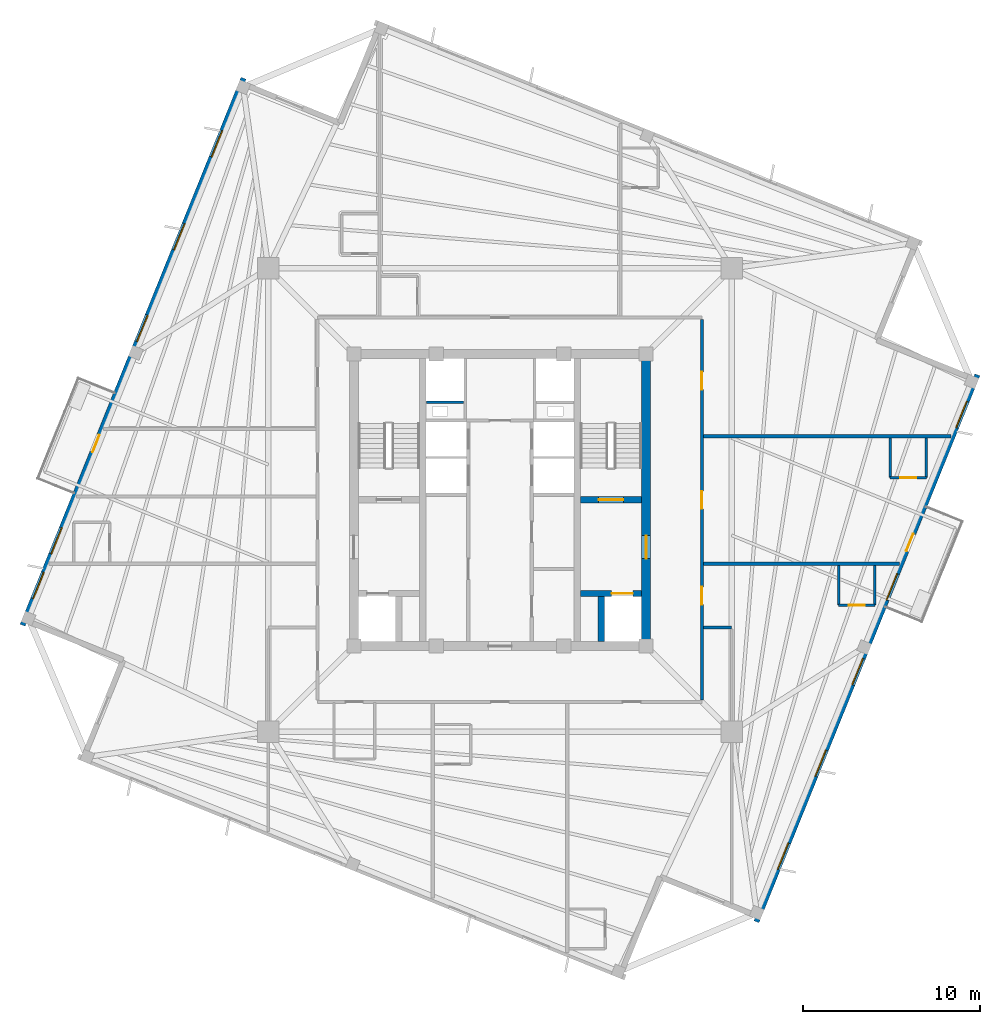
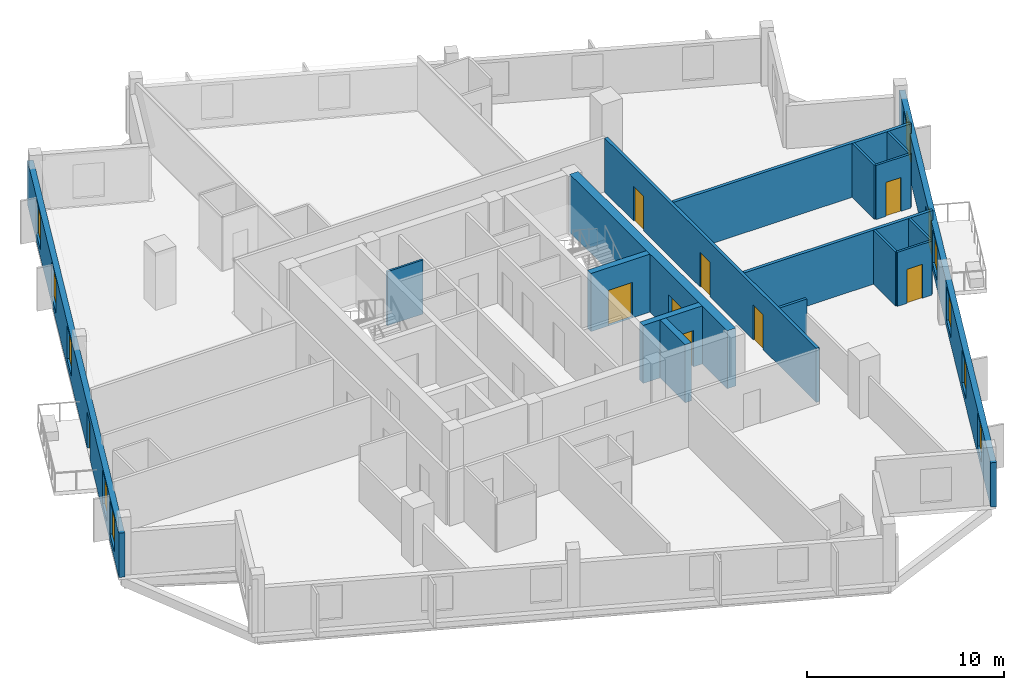
# One storey, part 4 of 8: 17 walls, 10 doors, 10 windows, 20 openings.
"""IFC4 building model written with IfcOpenShell, lengths in metres."""

from ifc_helpers import new_model, si_unit, direction, frame, frame_2d, origin, place, context, subcontext, project, spatial, rectangle, extrude, source, transform, mapped, material, layer, layer_set, type_object, element, fill, save


model = new_model("IFC4")

# Units and contexts
model_context = context("Model", 3, precision=1e-05, world=origin(), true_north=direction((0.0, 1.0)))
body_context = subcontext(model_context, "Body", "Model", "MODEL_VIEW")
ifc_project = project(units=[si_unit("LENGTHUNIT", "METRE"), si_unit("AREAUNIT", "SQUARE_METRE"), si_unit("VOLUMEUNIT", "CUBIC_METRE"), si_unit("PLANEANGLEUNIT", "RADIAN"), si_unit("MASSUNIT", "GRAM", prefix="KILO"), si_unit("THERMODYNAMICTEMPERATUREUNIT", "KELVIN")], contexts=[model_context])

# Site, building, storey
site_placement = place(None, origin())
site = spatial("IfcSite", under=ifc_project, at=site_placement, CompositionType="ELEMENT")
building_placement = place(site_placement, origin())
building = spatial("IfcBuilding", under=site, at=building_placement, Name="Kosmvard Interchange Tower", CompositionType="ELEMENT")
storey_placement = place(building_placement, frame((0.0, 0.0, 268.800048828125)))
storey = spatial("IfcBuildingStorey", under=building, at=storey_placement, Name="L65", CompositionType="ELEMENT", Elevation=268.800048828125)

# Wall
ifc_material_1 = material(Name="Acoustic gypsum partition system")
ifc_layer_1 = layer(ifc_material_1, 0.14990234375, Name="Acoustic gypsum partition system")
ifc_layer_set_1 = layer_set([ifc_layer_1], Name="Acoustic gypsum partition system")
wall_type_1 = type_object("IfcWallType", Name="Acoustic Suite & Meeting Partition 150", PredefinedType="PARTITIONING", material=ifc_layer_set_1)
wall_1_placement = place(storey_placement, frame((11.4951171875, -7.199951171875, 0.0), z_axis=(0.0, 0.0, 1.0), x_axis=(1.0, 0.0, 0.0)))
element("IfcWall", 1, at=wall_1_placement, inside=storey, type_object=wall_type_1, Name="L65 Room Partition 10.1", PredefinedType="PARTITIONING", context=body_context, shape_type="SweptSolid", body=[
    extrude(rectangle(XDim=1.5859375, YDim=0.14990234375, at=frame_2d((0.79296875, 0.0))), origin(), (0.0, 0.0, 1.0), 3.349853515625),
])

# Wall, openings, doors
ifc_material_2 = material(Name="Fire-rated gypsum partition system")
ifc_layer_2 = layer(ifc_material_2, 0.179931640625, Name="Fire-rated gypsum partition system")
ifc_layer_set_2 = layer_set([ifc_layer_2], Name="Fire-rated gypsum partition system")
wall_type_2 = type_object("IfcWallType", Name="Corridor & Hotel Compartment Partition 180", PredefinedType="PARTITIONING", material=ifc_layer_set_2)
wall_2_placement = place(storey_placement, frame((11.39990234375, -11.300048828125, 0.0), z_axis=(0.0, 0.0, 1.0), x_axis=(0.0, 1.0, 0.0)))
wall_2 = element("IfcWall", 2, at=wall_2_placement, inside=storey, type_object=wall_type_2, Name="L65 Corridor Wall CE", PredefinedType="PARTITIONING", context=body_context, shape_type="SweptSolid", body=[
    extrude(rectangle(XDim=21.5, YDim=0.179931640625, at=frame_2d((10.75, 0.0))), origin(), (0.0, 0.0, 1.0), 3.349853515625),
])
opening_1_placement = place(wall_2_placement, frame((17.53564453125, 0.0, 0.0)))
opening_1 = element("IfcOpeningElement", 3, at=opening_1_placement, cuts=wall_2, Name="Opening L65-D07", PredefinedType="OPENING", context=body_context, shape_type="SweptSolid", body=[
    extrude(rectangle(XDim=1.0, YDim=2.14990234375, at=frame_2d((0.5, 1.074951171875))), frame((0.0, 0.10009765625, 0.0), z_axis=(0.0, -1.0, 0.0), x_axis=(1.0, 0.0, 0.0)), (0.0, 0.0, 1.0), 0.199951171875),
])
opening_2_placement = place(wall_2_placement, frame((10.800048828125, 0.0, 0.0)))
opening_2 = element("IfcOpeningElement", 4, at=opening_2_placement, cuts=wall_2, Name="Opening L65-D09", PredefinedType="OPENING", context=body_context, shape_type="SweptSolid", body=[
    extrude(rectangle(XDim=1.0, YDim=2.14990234375, at=frame_2d((0.5, 1.074951171875))), frame((0.0, 0.10009765625, 0.0), z_axis=(0.0, -1.0, 0.0), x_axis=(1.0, 0.0, 0.0)), (0.0, 0.0, 1.0), 0.199951171875),
])
opening_3_placement = place(wall_2_placement, frame((5.39990234375, 0.0, 0.0)))
opening_3 = element("IfcOpeningElement", 5, at=opening_3_placement, cuts=wall_2, Name="Opening L65-D11", PredefinedType="OPENING", context=body_context, shape_type="SweptSolid", body=[
    extrude(rectangle(XDim=1.0, YDim=2.14990234375, at=frame_2d((0.5, 1.074951171875))), frame((0.0, 0.10009765625, 0.0), z_axis=(0.0, -1.0, 0.0), x_axis=(1.0, 0.0, 0.0)), (0.0, 0.0, 1.0), 0.199951171875),
])
ifc_material_3 = material(Name="Engineered oak fire-rated timber", Category="wood")
door_type_1 = type_object("IfcDoorType", Name="Hotel Guestroom Entrance Door 1000x2150 EI60", OperationType="NOTDEFINED", PredefinedType="DOOR", material=ifc_material_3)
shared_shape_1 = source(origin(), body_context, "Body", "SweptSolid", [
    extrude(rectangle(XDim=1.0, YDim=2.14990234375, at=frame_2d((0.5, 1.074951171875))), frame((0.0, 0.02490234375, 0.0), z_axis=(0.0, -1.0, 0.0), x_axis=(1.0, 0.0, 0.0)), (0.0, 0.0, 1.0), 0.050048828125),
])
door_1_placement = place(opening_1_placement, frame((1.0, 0.0, 0.0), z_axis=(0.0, 0.0, 1.0), x_axis=(-1.0, 0.0, 0.0)))
door_1 = element("IfcDoor", 6, at=door_1_placement, inside=storey, type_object=door_type_1, Name="L65 Hotel Queen Junior Suite 2 Door", OperationType="SINGLE_SWING_LEFT", OverallHeight=2.14990234375, OverallWidth=1.0, PredefinedType="DOOR", context=body_context, shape_type="MappedRepresentation", body=[
    mapped(shared_shape_1, transform((0.0, 0.0, 0.0), scale=1.0)),
])
fill(opening_1, door_1)
door_2_placement = place(opening_2_placement, frame((1.0, 0.0, 0.0), z_axis=(0.0, 0.0, 1.0), x_axis=(-1.0, 0.0, 0.0)))
door_2 = element("IfcDoor", 7, at=door_2_placement, inside=storey, type_object=door_type_1, Name="L65 Hotel South-East Corner Suite 2 Door", OperationType="SINGLE_SWING_LEFT", OverallHeight=2.14990234375, OverallWidth=1.0, PredefinedType="DOOR", context=body_context, shape_type="MappedRepresentation", body=[
    mapped(shared_shape_1, transform((0.0, 0.0, 0.0), scale=1.0)),
])
fill(opening_2, door_2)
door_3_placement = place(opening_3_placement, frame((1.0, 0.0, 0.0), z_axis=(0.0, 0.0, 1.0), x_axis=(-1.0, 0.0, 0.0)))
door_3 = element("IfcDoor", 8, at=door_3_placement, inside=storey, type_object=door_type_1, Name="L65 Hotel Superior Junior Suite 3 Door", OperationType="SINGLE_SWING_LEFT", OverallHeight=2.14990234375, OverallWidth=1.0, PredefinedType="DOOR", context=body_context, shape_type="MappedRepresentation", body=[
    mapped(shared_shape_1, transform((0.0, 0.0, 0.0), scale=1.0)),
])
fill(opening_3, door_3)

# Walls
wall_3_placement = place(storey_placement, frame((11.4951171875, 3.60009765625, 0.0), z_axis=(0.0, 0.0, 1.0), x_axis=(1.0, 0.0, 0.0)))
element("IfcWall", 9, at=wall_3_placement, inside=storey, type_object=wall_type_2, Name="L65 Room Partition 03.1", PredefinedType="PARTITIONING", context=body_context, shape_type="SweptSolid", body=[
    extrude(rectangle(XDim=13.962158203125, YDim=0.179931640625, at=frame_2d((6.98095703125, 0.0))), origin(), (0.0, 0.0, 1.0), 3.349853515625),
])
wall_4_placement = place(storey_placement, frame((11.4951171875, -3.60009765625, 0.0), z_axis=(0.0, 0.0, 1.0), x_axis=(1.0, 0.0, 0.0)))
element("IfcWall", 10, at=wall_4_placement, inside=storey, type_object=wall_type_2, Name="L65 Room Partition 04.1", PredefinedType="PARTITIONING", context=body_context, shape_type="SweptSolid", body=[
    extrude(rectangle(XDim=11.05322265625, YDim=0.179931640625, at=frame_2d((5.526611328125, 0.0))), origin(), (0.0, 0.0, 1.0), 3.349853515625),
])
ifc_material_4 = material(Name="Fire-rated gypsum shaftwall system")
ifc_layer_3 = layer(ifc_material_4, 0.1201171875, Name="Fire-rated gypsum shaftwall system")
ifc_layer_set_3 = layer_set([ifc_layer_3], Name="Fire-rated gypsum shaftwall system")
wall_type_3 = type_object("IfcWallType", Name="Shaft & Riser Fire Partition 120 EI60", PredefinedType="PARTITIONING", material=ifc_layer_set_3)
wall_5_placement = place(storey_placement, frame((-4.159912109375, 5.52001953125, 0.0), z_axis=(0.0, 0.0, 1.0), x_axis=(1.0, 0.0, 0.0)))
element("IfcWall", 11, at=wall_5_placement, inside=storey, type_object=wall_type_3, Name="L65 Riser Shaft Divider W", PredefinedType="PARTITIONING", context=body_context, shape_type="SweptSolid", body=[
    extrude(rectangle(XDim=2.099853515625, YDim=0.1201171875, at=frame_2d((1.0498046875, 0.0))), origin(), (0.0, 0.0, 1.0), 3.349853515625),
])

# Wall, opening, door
ifc_material_5 = material(Name="Concrete C60/75", Category="concrete")
ifc_layer_4 = layer(ifc_material_5, 0.360107421875, Name="Concrete C60/75")
ifc_layer_set_4 = layer_set([ifc_layer_4], Name="Concrete C60/75")
wall_type_4 = type_object("IfcWallType", Name="Stair & Lift Shaft Shear Wall 360 C60/75", PredefinedType="SHEAR", material=ifc_layer_set_4)
wall_6_placement = place(storey_placement, frame((4.5400390625, 0.02001953125, 0.0), z_axis=(0.0, 0.0, 1.0), x_axis=(1.0, 0.0, 0.0)))
wall_6 = element("IfcWall", 12, at=wall_6_placement, inside=storey, type_object=wall_type_4, Name="L65 Shaft Shear Wall SW-ST2", PredefinedType="SHEAR", context=body_context, shape_type="SweptSolid", body=[
    extrude(rectangle(XDim=3.4599609375, YDim=0.360107421875, at=frame_2d((1.72998046875, 0.0))), origin(), (0.0, 0.0, 1.0), 3.599853515625),
])
opening_4_placement = place(wall_6_placement, frame((1.030029296875, 0.0, 0.0)))
opening_4 = element("IfcOpeningElement", 13, at=opening_4_placement, cuts=wall_6, Name="Opening L65-SD2", PredefinedType="OPENING", context=body_context, shape_type="SweptSolid", body=[
    extrude(rectangle(XDim=1.39990234375, YDim=2.199951171875, at=frame_2d((0.699951171875, 1.10009765625))), frame((0.0, 0.18994140625, 0.0), z_axis=(0.0, -1.0, 0.0), x_axis=(1.0, 0.0, 0.0)), (0.0, 0.0, 1.0), 0.380126953125),
])
ifc_material_6 = material(Name="Painted fire-rated steel leaf", Category="steel")
door_type_2 = type_object("IfcDoorType", Name="Protected Stair Door 1400x2200 FD60S", OperationType="NOTDEFINED", PredefinedType="DOOR", material=ifc_material_6)
shared_shape_2 = source(origin(), body_context, "Body", "SweptSolid", [
    extrude(rectangle(XDim=1.39990234375, YDim=2.199951171875, at=frame_2d((0.699951171875, 1.10009765625))), frame((0.0, 0.02490234375, 0.0), z_axis=(0.0, -1.0, 0.0), x_axis=(1.0, 0.0, 0.0)), (0.0, 0.0, 1.0), 0.050048828125),
])
door_4_placement = place(opening_4_placement, origin())
door_4 = element("IfcDoor", 14, at=door_4_placement, inside=storey, type_object=door_type_2, Name="L65 Stair ST-2 Enclosure Door", OperationType="SINGLE_SWING_RIGHT", OverallHeight=2.199951171875, OverallWidth=1.39990234375, PredefinedType="DOOR", context=body_context, shape_type="MappedRepresentation", body=[
    mapped(shared_shape_2, transform((0.0, 0.0, 0.0), scale=1.0)),
])
fill(opening_4, door_4)

wall_7_placement = place(storey_placement, frame((4.5400390625, -5.280029296875, 0.0), z_axis=(0.0, 0.0, 1.0), x_axis=(1.0, 0.0, 0.0)))
wall_7 = element("IfcWall", 15, at=wall_7_placement, inside=storey, type_object=wall_type_4, Name="L65 Shaft Shear Wall SW-FF2", PredefinedType="SHEAR", context=body_context, shape_type="SweptSolid", body=[
    extrude(rectangle(XDim=3.4599609375, YDim=0.360107421875, at=frame_2d((1.72998046875, 0.0))), origin(), (0.0, 0.0, 1.0), 3.599853515625),
])
opening_5_placement = place(wall_7_placement, frame((1.760009765625, 0.0, 0.0)))
opening_5 = element("IfcOpeningElement", 16, at=opening_5_placement, cuts=wall_7, Name="Opening LD-FF-2-L65", PredefinedType="OPENING", context=body_context, shape_type="SweptSolid", body=[
    extrude(rectangle(XDim=1.199951171875, YDim=2.25, at=frame_2d((0.60009765625, 1.125))), frame((0.0, 0.18994140625, 0.0), z_axis=(0.0, -1.0, 0.0), x_axis=(1.0, 0.0, 0.0)), (0.0, 0.0, 1.0), 0.380126953125),
])
ifc_material_7 = material(Name="Brushed stainless steel sliding leaf", Category="steel")
door_type_3 = type_object("IfcDoorType", Name="Firefighting Lift Sliding Landing Door 1200x2250 EI120", OperationType="DOUBLE_DOOR_SLIDING", PredefinedType="DOOR", material=ifc_material_7)
shared_shape_3 = source(origin(), body_context, "Body", "SweptSolid", [
    extrude(rectangle(XDim=1.199951171875, YDim=2.25, at=frame_2d((0.60009765625, 1.125))), frame((0.0, 0.02490234375, 0.0), z_axis=(0.0, -1.0, 0.0), x_axis=(1.0, 0.0, 0.0)), (0.0, 0.0, 1.0), 0.050048828125),
])
door_5_placement = place(opening_5_placement, origin())
door_5 = element("IfcDoor", 17, at=door_5_placement, inside=storey, type_object=door_type_3, Name="Lift FF-2 Landing Door L65", OperationType="DOUBLE_DOOR_SLIDING", OverallHeight=2.25, OverallWidth=1.199951171875, PredefinedType="DOOR", context=body_context, shape_type="MappedRepresentation", body=[
    mapped(shared_shape_3, transform((0.0, 0.0, 0.0), scale=1.0)),
])
fill(opening_5, door_5)

# Wall
wall_8_placement = place(storey_placement, frame((5.7099609375, -8.0, 0.0), z_axis=(0.0, 0.0, 1.0), x_axis=(0.0, 1.0, 0.0)))
element("IfcWall", 18, at=wall_8_placement, inside=storey, type_object=wall_type_4, Name="L65 Shaft Shear Wall SW-SM2", PredefinedType="SHEAR", context=body_context, shape_type="SweptSolid", body=[
    extrude(rectangle(XDim=2.5400390625, YDim=0.360107421875, at=frame_2d((1.27001953125, 0.0))), origin(), (0.0, 0.0, 1.0), 3.599853515625),
])

# Wall, opening, door
ifc_layer_5 = layer(ifc_material_5, 0.5, Name="Concrete C60/75")
ifc_layer_set_5 = layer_set([ifc_layer_5], Name="Concrete C60/75")
wall_type_5 = type_object("IfcWallType", Name="Upper Core Shear Wall 500 C60/75", PredefinedType="SHEAR", material=ifc_layer_set_5)
wall_9_placement = place(storey_placement, frame((8.25, -8.0, 0.0), z_axis=(0.0, 0.0, 1.0), x_axis=(0.0, 1.0, 0.0)))
wall_9 = element("IfcWall", 19, at=wall_9_placement, inside=storey, type_object=wall_type_5, Name="L65 Core Shear Wall CW-E", PredefinedType="SHEAR", context=body_context, shape_type="SweptSolid", body=[
    extrude(rectangle(XDim=16.0, YDim=0.5, at=frame_2d((8.0, 0.0))), origin(), (0.0, 0.0, 1.0), 3.599853515625),
])
opening_6_placement = place(wall_9_placement, frame((4.68994140625, 0.0, 0.0)))
opening_6 = element("IfcOpeningElement", 20, at=opening_6_placement, cuts=wall_9, Name="Opening L65-FD2", PredefinedType="OPENING", context=body_context, shape_type="SweptSolid", body=[
    extrude(rectangle(XDim=1.300048828125, YDim=2.199951171875, at=frame_2d((0.64990234375, 1.10009765625))), frame((0.0, 0.260009765625, 0.0), z_axis=(0.0, -1.0, 0.0), x_axis=(1.0, 0.0, 0.0)), (0.0, 0.0, 1.0), 0.52001953125),
])
door_type_4 = type_object("IfcDoorType", Name="Firefighting Lobby Door 1300x2200 EI60", OperationType="NOTDEFINED", PredefinedType="DOOR", material=ifc_material_6)
shared_shape_4 = source(origin(), body_context, "Body", "SweptSolid", [
    extrude(rectangle(XDim=1.300048828125, YDim=2.199951171875, at=frame_2d((0.64990234375, 1.10009765625))), frame((0.0, 0.02490234375, 0.0), z_axis=(0.0, -1.0, 0.0), x_axis=(1.0, 0.0, 0.0)), (0.0, 0.0, 1.0), 0.050048828125),
])
door_6_placement = place(opening_6_placement, origin())
door_6 = element("IfcDoor", 21, at=door_6_placement, inside=storey, type_object=door_type_4, Name="L65 Firefighting Lobby East Door", OperationType="SINGLE_SWING_RIGHT", OverallHeight=2.199951171875, OverallWidth=1.300048828125, PredefinedType="DOOR", context=body_context, shape_type="MappedRepresentation", body=[
    mapped(shared_shape_4, transform((0.0, 0.0, 0.0), scale=1.0)),
])
fill(opening_6, door_6)

# Wall, openings, door, windows
ifc_material_8 = material(Name="Precast concrete C45/55", Category="concrete")
ifc_layer_6 = layer(ifc_material_8, 0.31005859375, Name="Precast concrete C45/55")
ifc_layer_set_6 = layer_set([ifc_layer_6], Name="Precast concrete C45/55")
wall_type_6 = type_object("IfcWallType", Name="Upper Tower Precast Pier Wall 310 C45/55", PredefinedType="STANDARD", material=ifc_layer_set_6)
wall_10_placement = place(storey_placement, frame((14.478759765625, -23.812744140625, 0.0), z_axis=(0.0, 0.0, 1.0), x_axis=(0.374609557019, 0.927182657188, 0.0)))
wall_10 = element("IfcWall", 22, at=wall_10_placement, inside=storey, type_object=wall_type_6, Name="L65 Precast Facade Wall F-S", PredefinedType="STANDARD", context=body_context, shape_type="SweptSolid", body=[
    extrude(rectangle(XDim=33.31005859375, YDim=0.31005859375, at=frame_2d((16.655029296875, 0.0))), origin(), (0.0, 0.0, 1.0), 2.75),
])
opening_7_placement = place(wall_10_placement, frame((22.580078125, 0.0, 0.0)))
opening_7 = element("IfcOpeningElement", 23, at=opening_7_placement, cuts=wall_10, Name="Opening L65-BDW", PredefinedType="OPENING", context=body_context, shape_type="SweptSolid", body=[
    extrude(rectangle(XDim=1.050048828125, YDim=2.25, at=frame_2d((0.52490234375, 1.125))), frame((0.0, 0.1650390625, 0.0), z_axis=(0.0, -1.0, 0.0), x_axis=(1.0, 0.0, 0.0)), (0.0, 0.0, 1.0), 0.330078125),
])
opening_8_placement = place(wall_10_placement, frame((3.197265625, 0.0, 0.469970703125)))
opening_8 = element("IfcOpeningElement", 24, at=opening_8_placement, cuts=wall_10, Name="Opening L65-W01", PredefinedType="OPENING", context=body_context, shape_type="SweptSolid", body=[
    extrude(rectangle(XDim=1.60009765625, YDim=2.10009765625, at=frame_2d((0.800048828125, 1.050048828125))), frame((0.0, 0.1650390625, 0.0), z_axis=(0.0, -1.0, 0.0), x_axis=(1.0, 0.0, 0.0)), (0.0, 0.0, 1.0), 0.330078125),
])
opening_9_placement = place(wall_10_placement, frame((8.85986328125, 0.0, 0.469970703125)))
opening_9 = element("IfcOpeningElement", 25, at=opening_9_placement, cuts=wall_10, Name="Opening L65-W02", PredefinedType="OPENING", context=body_context, shape_type="SweptSolid", body=[
    extrude(rectangle(XDim=1.60009765625, YDim=2.10009765625, at=frame_2d((0.800048828125, 1.050048828125))), frame((0.0, 0.1650390625, 0.0), z_axis=(0.0, -1.0, 0.0), x_axis=(1.0, 0.0, 0.0)), (0.0, 0.0, 1.0), 0.330078125),
])
opening_10_placement = place(wall_10_placement, frame((14.438720703125, 0.0, 0.469970703125)))
opening_10 = element("IfcOpeningElement", 26, at=opening_10_placement, cuts=wall_10, Name="Opening L65-W03", PredefinedType="OPENING", context=body_context, shape_type="SweptSolid", body=[
    extrude(rectangle(XDim=1.60009765625, YDim=2.10009765625, at=frame_2d((0.800048828125, 1.050048828125))), frame((0.0, 0.1650390625, 0.0), z_axis=(0.0, -1.0, 0.0), x_axis=(1.0, 0.0, 0.0)), (0.0, 0.0, 1.0), 0.330078125),
])
opening_11_placement = place(wall_10_placement, frame((19.600830078125, 0.0, 0.469970703125)))
opening_11 = element("IfcOpeningElement", 27, at=opening_11_placement, cuts=wall_10, Name="Opening L65-W04", PredefinedType="OPENING", context=body_context, shape_type="SweptSolid", body=[
    extrude(rectangle(XDim=1.60009765625, YDim=2.10009765625, at=frame_2d((0.800048828125, 1.050048828125))), frame((0.0, 0.1650390625, 0.0), z_axis=(0.0, -1.0, 0.0), x_axis=(1.0, 0.0, 0.0)), (0.0, 0.0, 1.0), 0.330078125),
])
opening_12_placement = place(wall_10_placement, frame((30.0966796875, 0.0, 0.469970703125)))
opening_12 = element("IfcOpeningElement", 28, at=opening_12_placement, cuts=wall_10, Name="Opening L65-W05", PredefinedType="OPENING", context=body_context, shape_type="SweptSolid", body=[
    extrude(rectangle(XDim=1.60009765625, YDim=2.10009765625, at=frame_2d((0.800048828125, 1.050048828125))), frame((0.0, 0.1650390625, 0.0), z_axis=(0.0, -1.0, 0.0), x_axis=(1.0, 0.0, 0.0)), (0.0, 0.0, 1.0), 0.330078125),
])
ifc_material_9 = material(Name="Anodised aluminium and safety glass", Category="aluminium")
door_type_5 = type_object("IfcDoorType", Name="Tree-Balcony Glazed Door 1050x2250", OperationType="NOTDEFINED", PredefinedType="DOOR", material=ifc_material_9)
shared_shape_5 = source(origin(), body_context, "Body", "SweptSolid", [
    extrude(rectangle(XDim=1.050048828125, YDim=2.25, at=frame_2d((0.52490234375, 1.125))), frame((0.0, 0.02490234375, 0.0), z_axis=(0.0, -1.0, 0.0), x_axis=(1.0, 0.0, 0.0)), (0.0, 0.0, 1.0), 0.050048828125),
])
door_7_placement = place(opening_7_placement, origin())
door_7 = element("IfcDoor", 29, at=door_7_placement, inside=storey, type_object=door_type_5, Name="L65 Tree-Balcony Door BAL-L65-SW", OperationType="SINGLE_SWING_RIGHT", OverallHeight=2.25, OverallWidth=1.050048828125, PredefinedType="DOOR", context=body_context, shape_type="MappedRepresentation", body=[
    mapped(shared_shape_5, transform((0.0, 0.0, 0.0), scale=1.0)),
])
fill(opening_7, door_7)
ifc_material_10 = material(Name="Low-E acoustic double glazing", Category="glass")
window_type = type_object("IfcWindowType", Name="Zone 5 Hotel Punched Window 1600x2100", PartitioningType="SINGLE_PANEL", PredefinedType="WINDOW", material=ifc_material_10)
shared_shape_6 = source(origin(), body_context, "Body", "SweptSolid", [
    extrude(rectangle(XDim=1.60009765625, YDim=2.10009765625, at=frame_2d((0.800048828125, 1.050048828125))), frame((0.0, 0.030029296875, 0.0), z_axis=(0.0, -1.0, 0.0), x_axis=(1.0, 0.0, 0.0)), (0.0, 0.0, 1.0), 0.06005859375),
])
window_1_placement = place(opening_8_placement, origin())
window_1 = element("IfcWindow", 30, at=window_1_placement, inside=storey, type_object=window_type, Name="L65 Facade Punched Window 01", OverallHeight=2.10009765625, OverallWidth=1.60009765625, PartitioningType="SINGLE_PANEL", PredefinedType="WINDOW", context=body_context, shape_type="MappedRepresentation", body=[
    mapped(shared_shape_6, transform((0.0, 0.0, 0.0), scale=1.0)),
])
fill(opening_8, window_1)
window_2_placement = place(opening_9_placement, origin())
window_2 = element("IfcWindow", 31, at=window_2_placement, inside=storey, type_object=window_type, Name="L65 Facade Punched Window 02", OverallHeight=2.10009765625, OverallWidth=1.60009765625, PartitioningType="SINGLE_PANEL", PredefinedType="WINDOW", context=body_context, shape_type="MappedRepresentation", body=[
    mapped(shared_shape_6, transform((0.0, 0.0, 0.0), scale=1.0)),
])
fill(opening_9, window_2)
window_3_placement = place(opening_10_placement, origin())
window_3 = element("IfcWindow", 32, at=window_3_placement, inside=storey, type_object=window_type, Name="L65 Facade Punched Window 03", OverallHeight=2.10009765625, OverallWidth=1.60009765625, PartitioningType="SINGLE_PANEL", PredefinedType="WINDOW", context=body_context, shape_type="MappedRepresentation", body=[
    mapped(shared_shape_6, transform((0.0, 0.0, 0.0), scale=1.0)),
])
fill(opening_10, window_3)
window_4_placement = place(opening_11_placement, origin())
window_4 = element("IfcWindow", 33, at=window_4_placement, inside=storey, type_object=window_type, Name="L65 Facade Punched Window 04", OverallHeight=2.10009765625, OverallWidth=1.60009765625, PartitioningType="SINGLE_PANEL", PredefinedType="WINDOW", context=body_context, shape_type="MappedRepresentation", body=[
    mapped(shared_shape_6, transform((0.0, 0.0, 0.0), scale=1.0)),
])
fill(opening_11, window_4)
window_5_placement = place(opening_12_placement, origin())
window_5 = element("IfcWindow", 34, at=window_5_placement, inside=storey, type_object=window_type, Name="L65 Facade Punched Window 05", OverallHeight=2.10009765625, OverallWidth=1.60009765625, PartitioningType="SINGLE_PANEL", PredefinedType="WINDOW", context=body_context, shape_type="MappedRepresentation", body=[
    mapped(shared_shape_6, transform((0.0, 0.0, 0.0), scale=1.0)),
])
fill(opening_12, window_5)

wall_11_placement = place(storey_placement, frame((-14.478759765625, 23.812744140625, 0.0), z_axis=(0.0, 0.0, 1.0), x_axis=(-0.374609557019, -0.927182657188, 0.0)))
wall_11 = element("IfcWall", 35, at=wall_11_placement, inside=storey, type_object=wall_type_6, Name="L65 Precast Facade Wall F-N", PredefinedType="STANDARD", context=body_context, shape_type="SweptSolid", body=[
    extrude(rectangle(XDim=33.31005859375, YDim=0.31005859375, at=frame_2d((16.655029296875, 0.0))), origin(), (0.0, 0.0, 1.0), 2.75),
])
opening_13_placement = place(wall_11_placement, frame((21.72998046875, 0.0, 0.0)))
opening_13 = element("IfcOpeningElement", 36, at=opening_13_placement, cuts=wall_11, Name="Opening L65-BDE", PredefinedType="OPENING", context=body_context, shape_type="SweptSolid", body=[
    extrude(rectangle(XDim=1.050048828125, YDim=2.25, at=frame_2d((0.52490234375, 1.125))), frame((0.0, 0.1650390625, 0.0), z_axis=(0.0, -1.0, 0.0), x_axis=(1.0, 0.0, 0.0)), (0.0, 0.0, 1.0), 0.330078125),
])
opening_14_placement = place(wall_11_placement, frame((3.197265625, 0.0, 0.469970703125)))
opening_14 = element("IfcOpeningElement", 37, at=opening_14_placement, cuts=wall_11, Name="Opening L65-W11", PredefinedType="OPENING", context=body_context, shape_type="SweptSolid", body=[
    extrude(rectangle(XDim=1.60009765625, YDim=2.10009765625, at=frame_2d((0.800048828125, 1.050048828125))), frame((0.0, 0.1650390625, 0.0), z_axis=(0.0, -1.0, 0.0), x_axis=(1.0, 0.0, 0.0)), (0.0, 0.0, 1.0), 0.330078125),
])
opening_15_placement = place(wall_11_placement, frame((8.85986328125, 0.0, 0.469970703125)))
opening_15 = element("IfcOpeningElement", 38, at=opening_15_placement, cuts=wall_11, Name="Opening L65-W12", PredefinedType="OPENING", context=body_context, shape_type="SweptSolid", body=[
    extrude(rectangle(XDim=1.60009765625, YDim=2.10009765625, at=frame_2d((0.800048828125, 1.050048828125))), frame((0.0, 0.1650390625, 0.0), z_axis=(0.0, -1.0, 0.0), x_axis=(1.0, 0.0, 0.0)), (0.0, 0.0, 1.0), 0.330078125),
])
opening_16_placement = place(wall_11_placement, frame((14.438720703125, 0.0, 0.469970703125)))
opening_16 = element("IfcOpeningElement", 39, at=opening_16_placement, cuts=wall_11, Name="Opening L65-W13", PredefinedType="OPENING", context=body_context, shape_type="SweptSolid", body=[
    extrude(rectangle(XDim=1.60009765625, YDim=2.10009765625, at=frame_2d((0.800048828125, 1.050048828125))), frame((0.0, 0.1650390625, 0.0), z_axis=(0.0, -1.0, 0.0), x_axis=(1.0, 0.0, 0.0)), (0.0, 0.0, 1.0), 0.330078125),
])
opening_17_placement = place(wall_11_placement, frame((30.0966796875, 0.0, 0.469970703125)))
opening_17 = element("IfcOpeningElement", 40, at=opening_17_placement, cuts=wall_11, Name="Opening L65-W14", PredefinedType="OPENING", context=body_context, shape_type="SweptSolid", body=[
    extrude(rectangle(XDim=1.60009765625, YDim=2.10009765625, at=frame_2d((0.800048828125, 1.050048828125))), frame((0.0, 0.1650390625, 0.0), z_axis=(0.0, -1.0, 0.0), x_axis=(1.0, 0.0, 0.0)), (0.0, 0.0, 1.0), 0.330078125),
])
opening_18_placement = place(wall_11_placement, frame((27.374267578125, 0.0, 0.469970703125)))
opening_18 = element("IfcOpeningElement", 41, at=opening_18_placement, cuts=wall_11, Name="Opening L65-DW24", PredefinedType="OPENING", context=body_context, shape_type="SweptSolid", body=[
    extrude(rectangle(XDim=1.60009765625, YDim=2.10009765625, at=frame_2d((0.800048828125, 1.050048828125))), frame((0.0, 0.1650390625, 0.0), z_axis=(0.0, -1.0, 0.0), x_axis=(1.0, 0.0, 0.0)), (0.0, 0.0, 1.0), 0.330078125),
])
door_8_placement = place(opening_13_placement, origin())
door_8 = element("IfcDoor", 42, at=door_8_placement, inside=storey, type_object=door_type_5, Name="L65 Tree-Balcony Door BAL-L65-NE", OperationType="SINGLE_SWING_RIGHT", OverallHeight=2.25, OverallWidth=1.050048828125, PredefinedType="DOOR", context=body_context, shape_type="MappedRepresentation", body=[
    mapped(shared_shape_5, transform((0.0, 0.0, 0.0), scale=1.0)),
])
fill(opening_13, door_8)
window_6_placement = place(opening_14_placement, origin())
window_6 = element("IfcWindow", 43, at=window_6_placement, inside=storey, type_object=window_type, Name="L65 Facade Punched Window 11", OverallHeight=2.10009765625, OverallWidth=1.60009765625, PartitioningType="SINGLE_PANEL", PredefinedType="WINDOW", context=body_context, shape_type="MappedRepresentation", body=[
    mapped(shared_shape_6, transform((0.0, 0.0, 0.0), scale=1.0)),
])
fill(opening_14, window_6)
window_7_placement = place(opening_15_placement, origin())
window_7 = element("IfcWindow", 44, at=window_7_placement, inside=storey, type_object=window_type, Name="L65 Facade Punched Window 12", OverallHeight=2.10009765625, OverallWidth=1.60009765625, PartitioningType="SINGLE_PANEL", PredefinedType="WINDOW", context=body_context, shape_type="MappedRepresentation", body=[
    mapped(shared_shape_6, transform((0.0, 0.0, 0.0), scale=1.0)),
])
fill(opening_15, window_7)
window_8_placement = place(opening_16_placement, origin())
window_8 = element("IfcWindow", 45, at=window_8_placement, inside=storey, type_object=window_type, Name="L65 Facade Punched Window 13", OverallHeight=2.10009765625, OverallWidth=1.60009765625, PartitioningType="SINGLE_PANEL", PredefinedType="WINDOW", context=body_context, shape_type="MappedRepresentation", body=[
    mapped(shared_shape_6, transform((0.0, 0.0, 0.0), scale=1.0)),
])
fill(opening_16, window_8)
window_9_placement = place(opening_17_placement, origin())
window_9 = element("IfcWindow", 46, at=window_9_placement, inside=storey, type_object=window_type, Name="L65 Facade Punched Window 14", OverallHeight=2.10009765625, OverallWidth=1.60009765625, PartitioningType="SINGLE_PANEL", PredefinedType="WINDOW", context=body_context, shape_type="MappedRepresentation", body=[
    mapped(shared_shape_6, transform((0.0, 0.0, 0.0), scale=1.0)),
])
fill(opening_17, window_9)
window_10_placement = place(opening_18_placement, origin())
window_10 = element("IfcWindow", 47, at=window_10_placement, inside=storey, type_object=window_type, Name="L65 Guest Room Punched Window 24", OverallHeight=2.10009765625, OverallWidth=1.60009765625, PartitioningType="SINGLE_PANEL", PredefinedType="WINDOW", context=body_context, shape_type="MappedRepresentation", body=[
    mapped(shared_shape_6, transform((0.0, 0.0, 0.0), scale=1.0)),
])
fill(opening_18, window_10)

# Wall, opening, door
ifc_material_11 = material(Name="Moisture-resistant gypsum partition")
ifc_layer_7 = layer(ifc_material_11, 0.135009765625, Name="Moisture-resistant gypsum partition")
ifc_layer_set_7 = layer_set([ifc_layer_7], Name="Moisture-resistant gypsum partition")
wall_type_7 = type_object("IfcWallType", Name="Wet Room Moisture-Resistant Partition 135", PredefinedType="PARTITIONING", material=ifc_layer_set_7)
wall_12_placement = place(storey_placement, frame((22.02392578125, 1.260009765625, 0.0), z_axis=(0.0, 0.0, 1.0), x_axis=(1.0, 0.0, 0.0)))
wall_12 = element("IfcWall", 48, at=wall_12_placement, inside=storey, type_object=wall_type_7, Name="L65 En-Suite Partition HCS2-S", PredefinedType="PARTITIONING", context=body_context, shape_type="SweptSolid", body=[
    extrude(rectangle(XDim=2.050048828125, YDim=0.135009765625, at=frame_2d((1.02490234375, 0.0))), origin(), (0.0, 0.0, 1.0), 3.349853515625),
])
opening_19_placement = place(wall_12_placement, frame((0.5849609375, 0.0, 0.0)))
opening_19 = element("IfcOpeningElement", 49, at=opening_19_placement, cuts=wall_12, Name="Opening L65-ED10", PredefinedType="OPENING", context=body_context, shape_type="SweptSolid", body=[
    extrude(rectangle(XDim=0.8798828125, YDim=2.10009765625, at=frame_2d((0.43994140625, 1.050048828125))), frame((0.0, 0.07763671875, 0.0), z_axis=(0.0, -1.0, 0.0), x_axis=(1.0, 0.0, 0.0)), (0.0, 0.0, 1.0), 0.155029296875),
])
ifc_material_12 = material(Name="Laminated moisture-resistant timber", Category="wood")
door_type_6 = type_object("IfcDoorType", Name="En-Suite & Washroom Door 880x2100", OperationType="NOTDEFINED", PredefinedType="DOOR", material=ifc_material_12)
shared_shape_7 = source(origin(), body_context, "Body", "SweptSolid", [
    extrude(rectangle(XDim=0.8798828125, YDim=2.10009765625, at=frame_2d((0.43994140625, 1.050048828125))), frame((0.0, 0.02490234375, 0.0), z_axis=(0.0, -1.0, 0.0), x_axis=(1.0, 0.0, 0.0)), (0.0, 0.0, 1.0), 0.050048828125),
])
door_9_placement = place(opening_19_placement, origin())
door_9 = element("IfcDoor", 50, at=door_9_placement, inside=storey, type_object=door_type_6, Name="L65 HCS2 En-Suite Door", OperationType="SINGLE_SWING_LEFT", OverallHeight=2.10009765625, OverallWidth=0.8798828125, PredefinedType="DOOR", context=body_context, shape_type="MappedRepresentation", body=[
    mapped(shared_shape_7, transform((0.0, 0.0, 0.0), scale=1.0)),
])
fill(opening_19, door_9)

# Walls
for number, where, z_axis, x_axis, name in (
    (51, (24.073974609375, 1.260009765625, 0.0), (0.0, 0.0, 1.0), (0.0, 1.0, 0.0), "L65 En-Suite Partition HCS2-E"),
    (52, (22.02392578125, 1.260009765625, 0.0), (0.0, 0.0, 1.0), (0.0, 1.0, 0.0), "L65 En-Suite Partition HCS2-W"),
):
    element("IfcWall", number, at=place(storey_placement, frame(where, z_axis=z_axis, x_axis=x_axis)), inside=storey, type_object=wall_type_7, Name=name, PredefinedType="PARTITIONING", context=body_context, shape_type="SweptSolid", body=[
        extrude(rectangle(XDim=2.25, YDim=0.135009765625, at=frame_2d((1.125, 0.0))), origin(), (0.0, 0.0, 1.0), 3.349853515625),
    ])

# Wall, opening, door
wall_13_placement = place(storey_placement, frame((19.114990234375, -5.93994140625, 0.0), z_axis=(0.0, 0.0, 1.0), x_axis=(1.0, 0.0, 0.0)))
wall_13 = element("IfcWall", 53, at=wall_13_placement, inside=storey, type_object=wall_type_7, Name="L65 En-Suite Partition HGR3-S", PredefinedType="PARTITIONING", context=body_context, shape_type="SweptSolid", body=[
    extrude(rectangle(XDim=2.050048828125, YDim=0.135009765625, at=frame_2d((1.02490234375, 0.0))), origin(), (0.0, 0.0, 1.0), 3.349853515625),
])
opening_20_placement = place(wall_13_placement, frame((0.5849609375, 0.0, 0.0)))
opening_20 = element("IfcOpeningElement", 54, at=opening_20_placement, cuts=wall_13, Name="Opening L65-ED12", PredefinedType="OPENING", context=body_context, shape_type="SweptSolid", body=[
    extrude(rectangle(XDim=0.8798828125, YDim=2.10009765625, at=frame_2d((0.43994140625, 1.050048828125))), frame((0.0, 0.07763671875, 0.0), z_axis=(0.0, -1.0, 0.0), x_axis=(1.0, 0.0, 0.0)), (0.0, 0.0, 1.0), 0.155029296875),
])
door_10_placement = place(opening_20_placement, origin())
door_10 = element("IfcDoor", 55, at=door_10_placement, inside=storey, type_object=door_type_6, Name="L65 HGR3 En-Suite Door", OperationType="SINGLE_SWING_LEFT", OverallHeight=2.10009765625, OverallWidth=0.8798828125, PredefinedType="DOOR", context=body_context, shape_type="MappedRepresentation", body=[
    mapped(shared_shape_7, transform((0.0, 0.0, 0.0), scale=1.0)),
])
fill(opening_20, door_10)

# Walls
for number, where, z_axis, x_axis, name in (
    (56, (21.1650390625, -5.93994140625, 0.0), (0.0, 0.0, 1.0), (0.0, 1.0, 0.0), "L65 En-Suite Partition HGR3-E"),
    (57, (19.114990234375, -5.93994140625, 0.0), (0.0, 0.0, 1.0), (0.0, 1.0, 0.0), "L65 En-Suite Partition HGR3-W"),
):
    element("IfcWall", number, at=place(storey_placement, frame(where, z_axis=z_axis, x_axis=x_axis)), inside=storey, type_object=wall_type_7, Name=name, PredefinedType="PARTITIONING", context=body_context, shape_type="SweptSolid", body=[
        extrude(rectangle(XDim=2.25, YDim=0.135009765625, at=frame_2d((1.125, 0.0))), origin(), (0.0, 0.0, 1.0), 3.349853515625),
    ])

save(model, "model.ifc")
